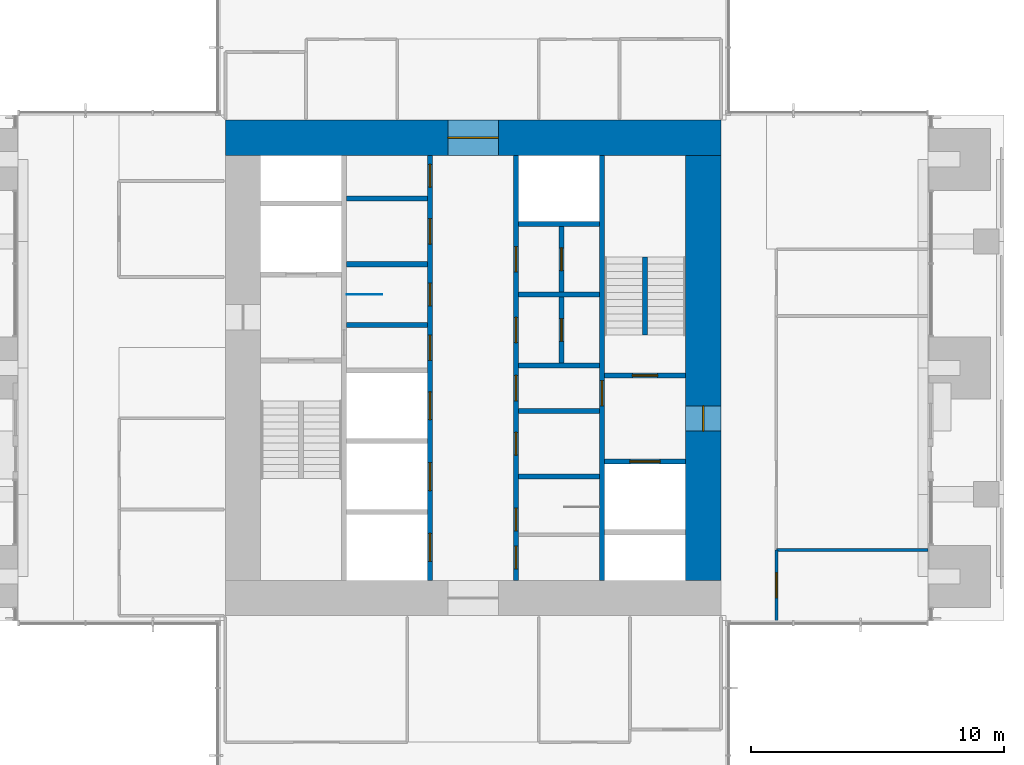
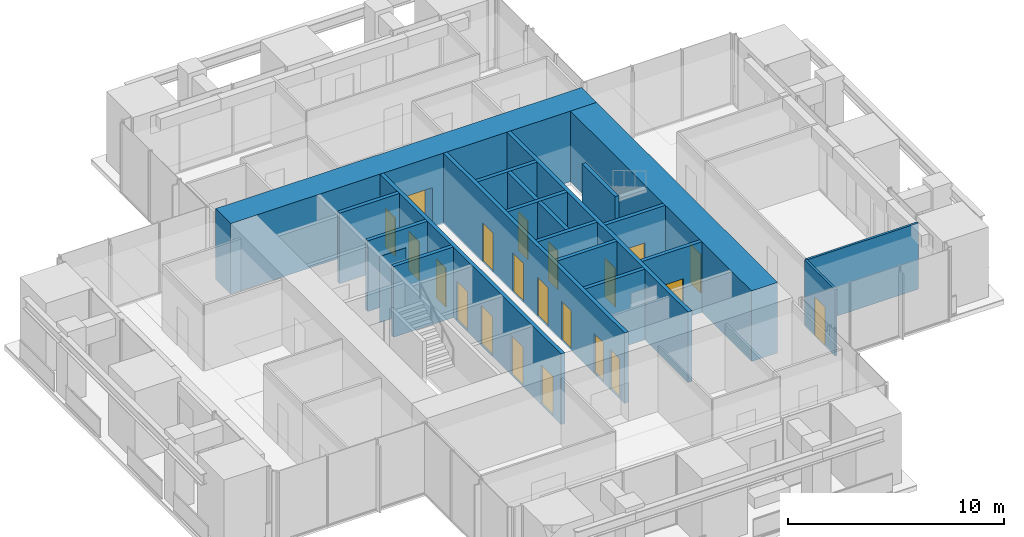
# One storey, part 13 of 17: 21 doors, 21 walls, 21 openings.
"""IFC4 building model written with IfcOpenShell, lengths in metres."""

from ifc_helpers import new_model, si_unit, direction, frame, frame_2d, origin, place, context, subcontext, project, spatial, rectangle, extrude, material, layer, layer_set, type_object, element, fill, save


model = new_model("IFC4")

# Units and contexts
model_context = context("Model", 3, precision=1e-05, world=origin(), true_north=direction((0.0, 1.0)))
body_context = subcontext(model_context, "Body", "Model", "MODEL_VIEW")
ifc_project = project(units=[si_unit("LENGTHUNIT", "METRE"), si_unit("AREAUNIT", "SQUARE_METRE"), si_unit("VOLUMEUNIT", "CUBIC_METRE"), si_unit("PLANEANGLEUNIT", "RADIAN"), si_unit("MASSUNIT", "GRAM", prefix="KILO")], contexts=[model_context])

# Site, building, storey
site_placement = place(None, origin())
site = spatial("IfcSite", under=ifc_project, at=site_placement, CompositionType="ELEMENT")
building_placement = place(site_placement, origin())
building = spatial("IfcBuilding", under=site, at=building_placement, Name="Svetlomir Tower", CompositionType="ELEMENT")
storey_placement = place(building_placement, frame((0.0, 0.0, 186.5)))
storey = spatial("IfcBuildingStorey", under=building, at=storey_placement, Name="L44", CompositionType="ELEMENT", Elevation=186.5)

# Wall, openings, doors
ifc_material_1 = material(Name="Concrete C60/75", Category="concrete")
ifc_layer_1 = layer(ifc_material_1, 0.199951171875)
ifc_layer_set_1 = layer_set([ifc_layer_1], Name="Concrete C60/75")
wall_type_1 = type_object("IfcWallType", Name="CORE INNER WALL 200", PredefinedType="SHEAR", material=ifc_layer_set_1)
wall_1_placement = place(storey_placement, frame((19.300048828125, 12.60009765625, -0.050048828125), z_axis=(0.0, 0.0, 1.0), x_axis=(0.0, 1.0, 0.0)))
wall_1 = element("IfcWall", 1, at=wall_1_placement, inside=storey, type_object=wall_type_1, Name="Core inner wall 19.3 L44", PredefinedType="SHEAR", context=body_context, shape_type="SweptSolid", body=[
    extrude(rectangle(XDim=16.7998046875, YDim=0.199951171875, at=frame_2d((8.39990234375, 0.0))), origin(), (0.0, 0.0, 1.0), 4.0),
])
opening_1_placement = place(wall_1_placement, frame((8.699951171875, 0.0, 0.050048828125)))
opening_1 = element("IfcOpeningElement", 2, at=opening_1_placement, cuts=wall_1, Name="Opening DC", PredefinedType="OPENING", context=body_context, shape_type="SweptSolid", body=[
    extrude(rectangle(XDim=1.0, YDim=2.199951171875, at=frame_2d((0.5, 1.10009765625))), frame((0.0, 0.10986328125, 0.0), z_axis=(0.0, -1.0, 0.0), x_axis=(1.0, 0.0, 0.0)), (0.0, 0.0, 1.0), 0.219970703125),
])
opening_2_placement = place(wall_1_placement, frame((10.85009765625, 0.0, 0.050048828125)))
opening_2 = element("IfcOpeningElement", 3, at=opening_2_placement, cuts=wall_1, Name="Opening DW", PredefinedType="OPENING", context=body_context, shape_type="SweptSolid", body=[
    extrude(rectangle(XDim=0.89990234375, YDim=2.199951171875, at=frame_2d((0.449951171875, 1.10009765625))), frame((0.0, 0.10986328125, 0.0), z_axis=(0.0, -1.0, 0.0), x_axis=(1.0, 0.0, 0.0)), (0.0, 0.0, 1.0), 0.219970703125),
])
opening_3_placement = place(wall_1_placement, frame((13.300048828125, 0.0, 0.050048828125)))
opening_3 = element("IfcOpeningElement", 4, at=opening_3_placement, cuts=wall_1, Name="Opening DC", PredefinedType="OPENING", context=body_context, shape_type="SweptSolid", body=[
    extrude(rectangle(XDim=1.0, YDim=2.199951171875, at=frame_2d((0.5, 1.10009765625))), frame((0.0, 0.10986328125, 0.0), z_axis=(0.0, -1.0, 0.0), x_axis=(1.0, 0.0, 0.0)), (0.0, 0.0, 1.0), 0.219970703125),
])
opening_4_placement = place(wall_1_placement, frame((15.550048828125, 0.0, 0.050048828125)))
opening_4 = element("IfcOpeningElement", 5, at=opening_4_placement, cuts=wall_1, Name="Opening DW", PredefinedType="OPENING", context=body_context, shape_type="SweptSolid", body=[
    extrude(rectangle(XDim=0.89990234375, YDim=2.199951171875, at=frame_2d((0.449951171875, 1.10009765625))), frame((0.0, 0.10986328125, 0.0), z_axis=(0.0, -1.0, 0.0), x_axis=(1.0, 0.0, 0.0)), (0.0, 0.0, 1.0), 0.219970703125),
])
opening_5_placement = place(wall_1_placement, frame((0.75, 0.0, 0.050048828125)))
opening_5 = element("IfcOpeningElement", 6, at=opening_5_placement, cuts=wall_1, Name="Opening LD", PredefinedType="OPENING", context=body_context, shape_type="SweptSolid", body=[
    extrude(rectangle(XDim=1.10009765625, YDim=2.199951171875, at=frame_2d((0.550048828125, 1.10009765625))), frame((0.0, 0.10986328125, 0.0), z_axis=(0.0, -1.0, 0.0), x_axis=(1.0, 0.0, 0.0)), (0.0, 0.0, 1.0), 0.219970703125),
])
opening_6_placement = place(wall_1_placement, frame((3.550048828125, 0.0, 0.050048828125)))
opening_6 = element("IfcOpeningElement", 7, at=opening_6_placement, cuts=wall_1, Name="Opening LD", PredefinedType="OPENING", context=body_context, shape_type="SweptSolid", body=[
    extrude(rectangle(XDim=1.10009765625, YDim=2.199951171875, at=frame_2d((0.550048828125, 1.10009765625))), frame((0.0, 0.10986328125, 0.0), z_axis=(0.0, -1.0, 0.0), x_axis=(1.0, 0.0, 0.0)), (0.0, 0.0, 1.0), 0.219970703125),
])
opening_7_placement = place(wall_1_placement, frame((6.35009765625, 0.0, 0.050048828125)))
opening_7 = element("IfcOpeningElement", 8, at=opening_7_placement, cuts=wall_1, Name="Opening LD", PredefinedType="OPENING", context=body_context, shape_type="SweptSolid", body=[
    extrude(rectangle(XDim=1.10009765625, YDim=2.199951171875, at=frame_2d((0.550048828125, 1.10009765625))), frame((0.0, 0.10986328125, 0.0), z_axis=(0.0, -1.0, 0.0), x_axis=(1.0, 0.0, 0.0)), (0.0, 0.0, 1.0), 0.219970703125),
])
ifc_material_2 = material(Name="Timber fire door", Category="wood")
door_type_1 = type_object("IfcDoorType", Name="DOOR DC 1000x2200", OperationType="SINGLE_SWING_LEFT", PredefinedType="DOOR", material=ifc_material_2)
door_1_placement = place(opening_1_placement, origin())
door_1 = element("IfcDoor", 9, at=door_1_placement, inside=storey, type_object=door_type_1, Name="Core corridor west lobby door L44", OperationType="SINGLE_SWING_RIGHT", OverallHeight=2.199951171875, OverallWidth=1.0, PredefinedType="DOOR", context=body_context, shape_type="SweptSolid", body=[
    extrude(rectangle(XDim=1.0, YDim=2.199951171875, at=frame_2d((0.5, 1.10009765625))), frame((0.0, 0.02490234375, 0.0), z_axis=(0.0, -1.0, 0.0), x_axis=(1.0, 0.0, 0.0)), (0.0, 0.0, 1.0), 0.050048828125),
])
fill(opening_1, door_1)
door_2_placement = place(opening_3_placement, origin())
door_2 = element("IfcDoor", 10, at=door_2_placement, inside=storey, type_object=door_type_1, Name="Accessible WC door L44", OperationType="SINGLE_SWING_LEFT", OverallHeight=2.199951171875, OverallWidth=1.0, PredefinedType="DOOR", context=body_context, shape_type="SweptSolid", body=[
    extrude(rectangle(XDim=1.0, YDim=2.199951171875, at=frame_2d((0.5, 1.10009765625))), frame((0.0, 0.02490234375, 0.0), z_axis=(0.0, -1.0, 0.0), x_axis=(1.0, 0.0, 0.0)), (0.0, 0.0, 1.0), 0.050048828125),
])
fill(opening_3, door_2)
ifc_material_3 = material(Name="Timber fire door", Category="wood")
door_type_2 = type_object("IfcDoorType", Name="DOOR DW 900x2200", OperationType="SINGLE_SWING_LEFT", PredefinedType="DOOR", material=ifc_material_3)
door_3_placement = place(opening_2_placement, origin())
door_3 = element("IfcDoor", 11, at=door_3_placement, inside=storey, type_object=door_type_2, Name="Female WC door L44", OperationType="SINGLE_SWING_RIGHT", OverallHeight=2.199951171875, OverallWidth=0.89990234375, PredefinedType="DOOR", context=body_context, shape_type="SweptSolid", body=[
    extrude(rectangle(XDim=0.89990234375, YDim=2.199951171875, at=frame_2d((0.449951171875, 1.10009765625))), frame((0.0, 0.02490234375, 0.0), z_axis=(0.0, -1.0, 0.0), x_axis=(1.0, 0.0, 0.0)), (0.0, 0.0, 1.0), 0.050048828125),
])
fill(opening_2, door_3)
door_4_placement = place(opening_4_placement, origin())
door_4 = element("IfcDoor", 12, at=door_4_placement, inside=storey, type_object=door_type_2, Name="Cleaner's store door L44", OperationType="SINGLE_SWING_RIGHT", OverallHeight=2.199951171875, OverallWidth=0.89990234375, PredefinedType="DOOR", context=body_context, shape_type="SweptSolid", body=[
    extrude(rectangle(XDim=0.89990234375, YDim=2.199951171875, at=frame_2d((0.449951171875, 1.10009765625))), frame((0.0, 0.02490234375, 0.0), z_axis=(0.0, -1.0, 0.0), x_axis=(1.0, 0.0, 0.0)), (0.0, 0.0, 1.0), 0.050048828125),
])
fill(opening_4, door_4)
ifc_material_4 = material(Name="Stainless steel landing door", Category="steel")
door_type_3 = type_object("IfcDoorType", Name="LIFT LANDING DOOR LD 1100x2200", OperationType="DOUBLE_DOOR_SLIDING", PredefinedType="DOOR", material=ifc_material_4)
door_5_placement = place(opening_5_placement, origin())
door_5 = element("IfcDoor", 13, at=door_5_placement, inside=storey, type_object=door_type_3, Name="Landing door lift LC1 L44", OperationType="DOUBLE_DOOR_SLIDING", OverallHeight=2.199951171875, OverallWidth=1.10009765625, PredefinedType="DOOR", context=body_context, shape_type="SweptSolid", body=[
    extrude(rectangle(XDim=1.10009765625, YDim=2.199951171875, at=frame_2d((0.550048828125, 1.10009765625))), frame((0.0, 0.02490234375, 0.0), z_axis=(0.0, -1.0, 0.0), x_axis=(1.0, 0.0, 0.0)), (0.0, 0.0, 1.0), 0.050048828125),
])
fill(opening_5, door_5)
door_6_placement = place(opening_6_placement, origin())
door_6 = element("IfcDoor", 14, at=door_6_placement, inside=storey, type_object=door_type_3, Name="Landing door lift LC2 L44", OperationType="DOUBLE_DOOR_SLIDING", OverallHeight=2.199951171875, OverallWidth=1.10009765625, PredefinedType="DOOR", context=body_context, shape_type="SweptSolid", body=[
    extrude(rectangle(XDim=1.10009765625, YDim=2.199951171875, at=frame_2d((0.550048828125, 1.10009765625))), frame((0.0, 0.02490234375, 0.0), z_axis=(0.0, -1.0, 0.0), x_axis=(1.0, 0.0, 0.0)), (0.0, 0.0, 1.0), 0.050048828125),
])
fill(opening_6, door_6)
door_7_placement = place(opening_7_placement, origin())
door_7 = element("IfcDoor", 15, at=door_7_placement, inside=storey, type_object=door_type_3, Name="Landing door lift LC3 L44", OperationType="DOUBLE_DOOR_SLIDING", OverallHeight=2.199951171875, OverallWidth=1.10009765625, PredefinedType="DOOR", context=body_context, shape_type="SweptSolid", body=[
    extrude(rectangle(XDim=1.10009765625, YDim=2.199951171875, at=frame_2d((0.550048828125, 1.10009765625))), frame((0.0, 0.02490234375, 0.0), z_axis=(0.0, -1.0, 0.0), x_axis=(1.0, 0.0, 0.0)), (0.0, 0.0, 1.0), 0.050048828125),
])
fill(opening_7, door_7)

wall_2_placement = place(storey_placement, frame((22.699951171875, 12.60009765625, -0.050048828125), z_axis=(0.0, 0.0, 1.0), x_axis=(0.0, 1.0, 0.0)))
wall_2 = element("IfcWall", 16, at=wall_2_placement, inside=storey, type_object=wall_type_1, Name="Core inner wall 22.7 L44", PredefinedType="SHEAR", context=body_context, shape_type="SweptSolid", body=[
    extrude(rectangle(XDim=16.7998046875, YDim=0.199951171875, at=frame_2d((8.39990234375, 0.0))), origin(), (0.0, 0.0, 1.0), 4.0),
])
opening_8_placement = place(wall_2_placement, frame((0.449951171875, 0.0, 0.050048828125)))
opening_8 = element("IfcOpeningElement", 17, at=opening_8_placement, cuts=wall_2, Name="Opening DW", PredefinedType="OPENING", context=body_context, shape_type="SweptSolid", body=[
    extrude(rectangle(XDim=0.89990234375, YDim=2.199951171875, at=frame_2d((0.449951171875, 1.10009765625))), frame((0.0, 0.10986328125, 0.0), z_axis=(0.0, -1.0, 0.0), x_axis=(1.0, 0.0, 0.0)), (0.0, 0.0, 1.0), 0.219970703125),
])
opening_9_placement = place(wall_2_placement, frame((7.10009765625, 0.0, 0.050048828125)))
opening_9 = element("IfcOpeningElement", 18, at=opening_9_placement, cuts=wall_2, Name="Opening DC", PredefinedType="OPENING", context=body_context, shape_type="SweptSolid", body=[
    extrude(rectangle(XDim=1.0, YDim=2.199951171875, at=frame_2d((0.5, 1.10009765625))), frame((0.0, 0.10986328125, 0.0), z_axis=(0.0, -1.0, 0.0), x_axis=(1.0, 0.0, 0.0)), (0.0, 0.0, 1.0), 0.219970703125),
])
opening_10_placement = place(wall_2_placement, frame((1.949951171875, 0.0, 0.050048828125)))
opening_10 = element("IfcOpeningElement", 19, at=opening_10_placement, cuts=wall_2, Name="Opening DW", PredefinedType="OPENING", context=body_context, shape_type="SweptSolid", body=[
    extrude(rectangle(XDim=0.89990234375, YDim=2.199951171875, at=frame_2d((0.449951171875, 1.10009765625))), frame((0.0, 0.10986328125, 0.0), z_axis=(0.0, -1.0, 0.0), x_axis=(1.0, 0.0, 0.0)), (0.0, 0.0, 1.0), 0.219970703125),
])
opening_11_placement = place(wall_2_placement, frame((4.949951171875, 0.0, 0.050048828125)))
opening_11 = element("IfcOpeningElement", 20, at=opening_11_placement, cuts=wall_2, Name="Opening DW", PredefinedType="OPENING", context=body_context, shape_type="SweptSolid", body=[
    extrude(rectangle(XDim=0.89990234375, YDim=2.199951171875, at=frame_2d((0.449951171875, 1.10009765625))), frame((0.0, 0.10986328125, 0.0), z_axis=(0.0, -1.0, 0.0), x_axis=(1.0, 0.0, 0.0)), (0.0, 0.0, 1.0), 0.219970703125),
])
opening_12_placement = place(wall_2_placement, frame((9.39990234375, 0.0, 0.050048828125)))
opening_12 = element("IfcOpeningElement", 21, at=opening_12_placement, cuts=wall_2, Name="Opening DC", PredefinedType="OPENING", context=body_context, shape_type="SweptSolid", body=[
    extrude(rectangle(XDim=1.0, YDim=2.199951171875, at=frame_2d((0.5, 1.10009765625))), frame((0.0, 0.10986328125, 0.0), z_axis=(0.0, -1.0, 0.0), x_axis=(1.0, 0.0, 0.0)), (0.0, 0.0, 1.0), 0.219970703125),
])
opening_13_placement = place(wall_2_placement, frame((12.199951171875, 0.0, 0.050048828125)))
opening_13 = element("IfcOpeningElement", 22, at=opening_13_placement, cuts=wall_2, Name="Opening DC", PredefinedType="OPENING", context=body_context, shape_type="SweptSolid", body=[
    extrude(rectangle(XDim=1.0, YDim=2.199951171875, at=frame_2d((0.5, 1.10009765625))), frame((0.0, 0.10986328125, 0.0), z_axis=(0.0, -1.0, 0.0), x_axis=(1.0, 0.0, 0.0)), (0.0, 0.0, 1.0), 0.219970703125),
])
door_8_placement = place(opening_9_placement, origin())
door_8 = element("IfcDoor", 23, at=door_8_placement, inside=storey, type_object=door_type_1, Name="Core corridor east lobby door L44", OperationType="SINGLE_SWING_LEFT", OverallHeight=2.199951171875, OverallWidth=1.0, PredefinedType="DOOR", context=body_context, shape_type="SweptSolid", body=[
    extrude(rectangle(XDim=1.0, YDim=2.199951171875, at=frame_2d((0.5, 1.10009765625))), frame((0.0, 0.02490234375, 0.0), z_axis=(0.0, -1.0, 0.0), x_axis=(1.0, 0.0, 0.0)), (0.0, 0.0, 1.0), 0.050048828125),
])
fill(opening_9, door_8)
door_9_placement = place(opening_12_placement, origin())
door_9 = element("IfcDoor", 24, at=door_9_placement, inside=storey, type_object=door_type_1, Name="Converted shaft BANK-E1 room door L44", OperationType="SINGLE_SWING_LEFT", OverallHeight=2.199951171875, OverallWidth=1.0, PredefinedType="DOOR", context=body_context, shape_type="SweptSolid", body=[
    extrude(rectangle(XDim=1.0, YDim=2.199951171875, at=frame_2d((0.5, 1.10009765625))), frame((0.0, 0.02490234375, 0.0), z_axis=(0.0, -1.0, 0.0), x_axis=(1.0, 0.0, 0.0)), (0.0, 0.0, 1.0), 0.050048828125),
])
fill(opening_12, door_9)
door_10_placement = place(opening_13_placement, origin())
door_10 = element("IfcDoor", 25, at=door_10_placement, inside=storey, type_object=door_type_1, Name="Converted shaft BANK-E2 room door L44", OperationType="SINGLE_SWING_LEFT", OverallHeight=2.199951171875, OverallWidth=1.0, PredefinedType="DOOR", context=body_context, shape_type="SweptSolid", body=[
    extrude(rectangle(XDim=1.0, YDim=2.199951171875, at=frame_2d((0.5, 1.10009765625))), frame((0.0, 0.02490234375, 0.0), z_axis=(0.0, -1.0, 0.0), x_axis=(1.0, 0.0, 0.0)), (0.0, 0.0, 1.0), 0.050048828125),
])
fill(opening_13, door_10)
door_11_placement = place(opening_8_placement, origin())
door_11 = element("IfcDoor", 26, at=door_11_placement, inside=storey, type_object=door_type_2, Name="Floor store door L44", OperationType="SINGLE_SWING_LEFT", OverallHeight=2.199951171875, OverallWidth=0.89990234375, PredefinedType="DOOR", context=body_context, shape_type="SweptSolid", body=[
    extrude(rectangle(XDim=0.89990234375, YDim=2.199951171875, at=frame_2d((0.449951171875, 1.10009765625))), frame((0.0, 0.02490234375, 0.0), z_axis=(0.0, -1.0, 0.0), x_axis=(1.0, 0.0, 0.0)), (0.0, 0.0, 1.0), 0.050048828125),
])
fill(opening_8, door_11)
door_12_placement = place(opening_10_placement, origin())
door_12 = element("IfcDoor", 27, at=door_12_placement, inside=storey, type_object=door_type_2, Name="Male WC door L44", OperationType="SINGLE_SWING_LEFT", OverallHeight=2.199951171875, OverallWidth=0.89990234375, PredefinedType="DOOR", context=body_context, shape_type="SweptSolid", body=[
    extrude(rectangle(XDim=0.89990234375, YDim=2.199951171875, at=frame_2d((0.449951171875, 1.10009765625))), frame((0.0, 0.02490234375, 0.0), z_axis=(0.0, -1.0, 0.0), x_axis=(1.0, 0.0, 0.0)), (0.0, 0.0, 1.0), 0.050048828125),
])
fill(opening_10, door_12)
door_13_placement = place(opening_11_placement, origin())
door_13 = element("IfcDoor", 28, at=door_13_placement, inside=storey, type_object=door_type_2, Name="Comms room door L44", OperationType="SINGLE_SWING_RIGHT", OverallHeight=2.199951171875, OverallWidth=0.89990234375, PredefinedType="DOOR", context=body_context, shape_type="SweptSolid", body=[
    extrude(rectangle(XDim=0.89990234375, YDim=2.199951171875, at=frame_2d((0.449951171875, 1.10009765625))), frame((0.0, 0.02490234375, 0.0), z_axis=(0.0, -1.0, 0.0), x_axis=(1.0, 0.0, 0.0)), (0.0, 0.0, 1.0), 0.050048828125),
])
fill(opening_11, door_13)

# Wall, opening, door
wall_3_placement = place(storey_placement, frame((26.10009765625, 12.60009765625, -0.050048828125), z_axis=(0.0, 0.0, 1.0), x_axis=(0.0, 1.0, 0.0)))
wall_3 = element("IfcWall", 29, at=wall_3_placement, inside=storey, type_object=wall_type_1, Name="Core inner wall 26.1 L44", PredefinedType="SHEAR", context=body_context, shape_type="SweptSolid", body=[
    extrude(rectangle(XDim=16.7998046875, YDim=0.199951171875, at=frame_2d((8.39990234375, 0.0))), origin(), (0.0, 0.0, 1.0), 4.0),
])
opening_14_placement = place(wall_3_placement, frame((6.89990234375, 0.0, 0.050048828125)))
opening_14 = element("IfcOpeningElement", 30, at=opening_14_placement, cuts=wall_3, Name="Opening DF", PredefinedType="OPENING", context=body_context, shape_type="SweptSolid", body=[
    extrude(rectangle(XDim=1.0, YDim=2.199951171875, at=frame_2d((0.5, 1.10009765625))), frame((0.0, 0.10986328125, 0.0), z_axis=(0.0, -1.0, 0.0), x_axis=(1.0, 0.0, 0.0)), (0.0, 0.0, 1.0), 0.219970703125),
])
ifc_material_5 = material(Name="Steel fire door", Category="steel")
door_type_4 = type_object("IfcDoorType", Name="DOOR DF 1000x2200", OperationType="SINGLE_SWING_LEFT", PredefinedType="DOOR", material=ifc_material_5)
door_14_placement = place(opening_14_placement, origin())
door_14 = element("IfcDoor", 31, at=door_14_placement, inside=storey, type_object=door_type_4, Name="Core corridor east door L44", OperationType="SINGLE_SWING_LEFT", OverallHeight=2.199951171875, OverallWidth=1.0, PredefinedType="DOOR", context=body_context, shape_type="SweptSolid", body=[
    extrude(rectangle(XDim=1.0, YDim=2.199951171875, at=frame_2d((0.5, 1.10009765625))), frame((0.0, 0.02490234375, 0.0), z_axis=(0.0, -1.0, 0.0), x_axis=(1.0, 0.0, 0.0)), (0.0, 0.0, 1.0), 0.050048828125),
])
fill(opening_14, door_14)

# Walls
for number, where, z_axis, x_axis, name in (
    (32, (16.0, 22.699951171875, -0.050048828125), (0.0, 0.0, 1.0), (1.0, 0.0, 0.0), "Core inner wall 16-19.2/22.7 L44"),
    (33, (16.0, 25.10009765625, -0.050048828125), (0.0, 0.0, 1.0), (1.0, 0.0, 0.0), "Core inner wall 16-19.2/25.1 L44"),
    (34, (16.0, 27.699951171875, -0.050048828125), (0.0, 0.0, 1.0), (1.0, 0.0, 0.0), "Core inner wall 16-19.2/27.7 L44"),
    (35, (22.800048828125, 16.699951171875, -0.050048828125), (0.0, 0.0, 1.0), (1.0, 0.0, 0.0), "Core inner wall 22.8-26/16.7 L44"),
    (36, (22.800048828125, 19.300048828125, -0.050048828125), (0.0, 0.0, 1.0), (1.0, 0.0, 0.0), "Core inner wall 22.8-26/19.3 L44"),
    (37, (22.800048828125, 21.10009765625, -0.050048828125), (0.0, 0.0, 1.0), (1.0, 0.0, 0.0), "Core inner wall 22.8-26/21.1 L44"),
    (38, (22.800048828125, 23.89990234375, -0.050048828125), (0.0, 0.0, 1.0), (1.0, 0.0, 0.0), "Core inner wall 22.8-26/23.9 L44"),
    (39, (22.800048828125, 26.699951171875, -0.050048828125), (0.0, 0.0, 1.0), (1.0, 0.0, 0.0), "Core inner wall 22.8-26/26.7 L44"),
):
    element("IfcWall", number, at=place(storey_placement, frame(where, z_axis=z_axis, x_axis=x_axis)), inside=storey, type_object=wall_type_1, Name=name, PredefinedType="SHEAR", context=body_context, shape_type="SweptSolid", body=[
        extrude(rectangle(XDim=3.199951171875, YDim=0.199951171875, at=frame_2d((1.60009765625, 0.0))), origin(), (0.0, 0.0, 1.0), 4.0),
    ])

# Wall, opening, door
wall_4_placement = place(storey_placement, frame((26.199951171875, 17.300048828125, -0.050048828125), z_axis=(0.0, 0.0, 1.0), x_axis=(1.0, 0.0, 0.0)))
wall_4 = element("IfcWall", 40, at=wall_4_placement, inside=storey, type_object=wall_type_1, Name="Core inner wall 26.2-29.4/17.3 L44", PredefinedType="SHEAR", context=body_context, shape_type="SweptSolid", body=[
    extrude(rectangle(XDim=3.199951171875, YDim=0.199951171875, at=frame_2d((1.60009765625, 0.0))), origin(), (0.0, 0.0, 1.0), 4.0),
])
opening_15_placement = place(wall_4_placement, frame((1.0, 0.0, 0.050048828125)))
opening_15 = element("IfcOpeningElement", 41, at=opening_15_placement, cuts=wall_4, Name="Opening LD3", PredefinedType="OPENING", context=body_context, shape_type="SweptSolid", body=[
    extrude(rectangle(XDim=1.199951171875, YDim=2.199951171875, at=frame_2d((0.60009765625, 1.10009765625))), frame((0.0, 0.10986328125, 0.0), z_axis=(0.0, -1.0, 0.0), x_axis=(1.0, 0.0, 0.0)), (0.0, 0.0, 1.0), 0.219970703125),
])
ifc_material_6 = material(Name="Stainless steel fire-rated landing door", Category="steel")
door_type_5 = type_object("IfcDoorType", Name="FIREFIGHTING LIFT LANDING DOOR LD3 1200x2200", OperationType="DOUBLE_DOOR_SLIDING", PredefinedType="DOOR", material=ifc_material_6)
door_15_placement = place(opening_15_placement, origin())
door_15 = element("IfcDoor", 42, at=door_15_placement, inside=storey, type_object=door_type_5, Name="Landing door lift FL2 L44", OperationType="DOUBLE_DOOR_SLIDING", OverallHeight=2.199951171875, OverallWidth=1.199951171875, PredefinedType="DOOR", context=body_context, shape_type="SweptSolid", body=[
    extrude(rectangle(XDim=1.199951171875, YDim=2.199951171875, at=frame_2d((0.60009765625, 1.10009765625))), frame((0.0, 0.02490234375, 0.0), z_axis=(0.0, -1.0, 0.0), x_axis=(1.0, 0.0, 0.0)), (0.0, 0.0, 1.0), 0.050048828125),
])
fill(opening_15, door_15)

wall_5_placement = place(storey_placement, frame((26.199951171875, 20.699951171875, -0.050048828125), z_axis=(0.0, 0.0, 1.0), x_axis=(1.0, 0.0, 0.0)))
wall_5 = element("IfcWall", 43, at=wall_5_placement, inside=storey, type_object=wall_type_1, Name="Core inner wall 26.2-29.4/20.7 L44", PredefinedType="SHEAR", context=body_context, shape_type="SweptSolid", body=[
    extrude(rectangle(XDim=3.199951171875, YDim=0.199951171875, at=frame_2d((1.60009765625, 0.0))), origin(), (0.0, 0.0, 1.0), 4.0),
])
opening_16_placement = place(wall_5_placement, frame((1.10009765625, 0.0, 0.050048828125)))
opening_16 = element("IfcOpeningElement", 44, at=opening_16_placement, cuts=wall_5, Name="Opening DF", PredefinedType="OPENING", context=body_context, shape_type="SweptSolid", body=[
    extrude(rectangle(XDim=1.0, YDim=2.199951171875, at=frame_2d((0.5, 1.10009765625))), frame((0.0, 0.10986328125, 0.0), z_axis=(0.0, -1.0, 0.0), x_axis=(1.0, 0.0, 0.0)), (0.0, 0.0, 1.0), 0.219970703125),
])
door_16_placement = place(opening_16_placement, origin())
door_16 = element("IfcDoor", 45, at=door_16_placement, inside=storey, type_object=door_type_4, Name="Stair S2 door L44", OperationType="SINGLE_SWING_LEFT", OverallHeight=2.199951171875, OverallWidth=1.0, PredefinedType="DOOR", context=body_context, shape_type="SweptSolid", body=[
    extrude(rectangle(XDim=1.0, YDim=2.199951171875, at=frame_2d((0.5, 1.10009765625))), frame((0.0, 0.02490234375, 0.0), z_axis=(0.0, -1.0, 0.0), x_axis=(1.0, 0.0, 0.0)), (0.0, 0.0, 1.0), 0.050048828125),
])
fill(opening_16, door_16)

wall_6_placement = place(storey_placement, frame((24.5, 21.199951171875, -0.050048828125), z_axis=(0.0, 0.0, 1.0), x_axis=(0.0, 1.0, 0.0)))
wall_6 = element("IfcWall", 46, at=wall_6_placement, inside=storey, type_object=wall_type_1, Name="Core inner wall 24.5/21.2-23.8 L44", PredefinedType="SHEAR", context=body_context, shape_type="SweptSolid", body=[
    extrude(rectangle(XDim=2.60009765625, YDim=0.199951171875, at=frame_2d((1.300048828125, 0.0))), origin(), (0.0, 0.0, 1.0), 4.0),
])
opening_17_placement = place(wall_6_placement, frame((0.85009765625, 0.0, 0.050048828125)))
opening_17 = element("IfcOpeningElement", 47, at=opening_17_placement, cuts=wall_6, Name="Opening DW", PredefinedType="OPENING", context=body_context, shape_type="SweptSolid", body=[
    extrude(rectangle(XDim=0.89990234375, YDim=2.199951171875, at=frame_2d((0.449951171875, 1.10009765625))), frame((0.0, 0.10986328125, 0.0), z_axis=(0.0, -1.0, 0.0), x_axis=(1.0, 0.0, 0.0)), (0.0, 0.0, 1.0), 0.219970703125),
])
door_17_placement = place(opening_17_placement, origin())
door_17 = element("IfcDoor", 48, at=door_17_placement, inside=storey, type_object=door_type_2, Name="Converted shaft BANK-E1 back room door L44", OperationType="SINGLE_SWING_RIGHT", OverallHeight=2.199951171875, OverallWidth=0.89990234375, PredefinedType="DOOR", context=body_context, shape_type="SweptSolid", body=[
    extrude(rectangle(XDim=0.89990234375, YDim=2.199951171875, at=frame_2d((0.449951171875, 1.10009765625))), frame((0.0, 0.02490234375, 0.0), z_axis=(0.0, -1.0, 0.0), x_axis=(1.0, 0.0, 0.0)), (0.0, 0.0, 1.0), 0.050048828125),
])
fill(opening_17, door_17)

wall_7_placement = place(storey_placement, frame((24.5, 24.0, -0.050048828125), z_axis=(0.0, 0.0, 1.0), x_axis=(0.0, 1.0, 0.0)))
wall_7 = element("IfcWall", 49, at=wall_7_placement, inside=storey, type_object=wall_type_1, Name="Core inner wall 24.5/24-26.6 L44", PredefinedType="SHEAR", context=body_context, shape_type="SweptSolid", body=[
    extrude(rectangle(XDim=2.60009765625, YDim=0.199951171875, at=frame_2d((1.300048828125, 0.0))), origin(), (0.0, 0.0, 1.0), 4.0),
])
opening_18_placement = place(wall_7_placement, frame((0.85009765625, 0.0, 0.050048828125)))
opening_18 = element("IfcOpeningElement", 50, at=opening_18_placement, cuts=wall_7, Name="Opening DW", PredefinedType="OPENING", context=body_context, shape_type="SweptSolid", body=[
    extrude(rectangle(XDim=0.89990234375, YDim=2.199951171875, at=frame_2d((0.449951171875, 1.10009765625))), frame((0.0, 0.10986328125, 0.0), z_axis=(0.0, -1.0, 0.0), x_axis=(1.0, 0.0, 0.0)), (0.0, 0.0, 1.0), 0.219970703125),
])
door_18_placement = place(opening_18_placement, origin())
door_18 = element("IfcDoor", 51, at=door_18_placement, inside=storey, type_object=door_type_2, Name="Converted shaft BANK-E2 back room door L44", OperationType="SINGLE_SWING_RIGHT", OverallHeight=2.199951171875, OverallWidth=0.89990234375, PredefinedType="DOOR", context=body_context, shape_type="SweptSolid", body=[
    extrude(rectangle(XDim=0.89990234375, YDim=2.199951171875, at=frame_2d((0.449951171875, 1.10009765625))), frame((0.0, 0.02490234375, 0.0), z_axis=(0.0, -1.0, 0.0), x_axis=(1.0, 0.0, 0.0)), (0.0, 0.0, 1.0), 0.050048828125),
])
fill(opening_18, door_18)

ifc_material_7 = material(Name="Concrete C60/75", Category="concrete")
ifc_layer_2 = layer(ifc_material_7, 1.39990234375)
ifc_layer_set_2 = layer_set([ifc_layer_2], Name="Concrete C60/75")
wall_type_2 = type_object("IfcWallType", Name="CORE WALL 1400", PredefinedType="SHEAR", material=ifc_layer_set_2)
wall_8_placement = place(storey_placement, frame((11.199951171875, 30.10009765625, -0.050048828125), z_axis=(0.0, 0.0, 1.0), x_axis=(1.0, 0.0, 0.0)))
wall_8 = element("IfcWall", 52, at=wall_8_placement, inside=storey, type_object=wall_type_2, Name="Core wall north L44", PredefinedType="SHEAR", context=body_context, shape_type="SweptSolid", body=[
    extrude(rectangle(XDim=19.60009765625, YDim=1.39990234375, at=frame_2d((9.800048828125, 0.0))), origin(), (0.0, 0.0, 1.0), 4.0),
])
opening_19_placement = place(wall_8_placement, frame((8.800048828125, 0.0, 0.050048828125)))
opening_19 = element("IfcOpeningElement", 53, at=opening_19_placement, cuts=wall_8, Name="Opening DL", PredefinedType="OPENING", context=body_context, shape_type="SweptSolid", body=[
    extrude(rectangle(XDim=2.0, YDim=2.199951171875, at=frame_2d((1.0, 1.10009765625))), frame((0.0, 0.7099609375, 0.0), z_axis=(0.0, -1.0, 0.0), x_axis=(1.0, 0.0, 0.0)), (0.0, 0.0, 1.0), 1.419921875),
])
ifc_material_8 = material(Name="Steel fire door", Category="steel")
door_type_6 = type_object("IfcDoorType", Name="DOOR DL 2000x2200", OperationType="DOUBLE_DOOR_SINGLE_SWING", PredefinedType="DOOR", material=ifc_material_8)
door_19_placement = place(opening_19_placement, origin())
door_19 = element("IfcDoor", 54, at=door_19_placement, inside=storey, type_object=door_type_6, Name="Lift lobby north door L44", OperationType="DOUBLE_DOOR_SINGLE_SWING", OverallHeight=2.199951171875, OverallWidth=2.0, PredefinedType="DOOR", context=body_context, shape_type="SweptSolid", body=[
    extrude(rectangle(XDim=2.0, YDim=2.199951171875, at=frame_2d((1.0, 1.10009765625))), frame((0.0, 0.02490234375, 0.0), z_axis=(0.0, -1.0, 0.0), x_axis=(1.0, 0.0, 0.0)), (0.0, 0.0, 1.0), 0.050048828125),
])
fill(opening_19, door_19)

wall_9_placement = place(storey_placement, frame((30.10009765625, 12.60009765625, -0.050048828125), z_axis=(0.0, 0.0, 1.0), x_axis=(0.0, 1.0, 0.0)))
wall_9 = element("IfcWall", 55, at=wall_9_placement, inside=storey, type_object=wall_type_2, Name="Core wall east L44", PredefinedType="SHEAR", context=body_context, shape_type="SweptSolid", body=[
    extrude(rectangle(XDim=16.7998046875, YDim=1.39990234375, at=frame_2d((8.39990234375, 0.0))), origin(), (0.0, 0.0, 1.0), 4.0),
])
opening_20_placement = place(wall_9_placement, frame((5.89990234375, 0.0, 0.050048828125)))
opening_20 = element("IfcOpeningElement", 56, at=opening_20_placement, cuts=wall_9, Name="Opening DF", PredefinedType="OPENING", context=body_context, shape_type="SweptSolid", body=[
    extrude(rectangle(XDim=1.0, YDim=2.199951171875, at=frame_2d((0.5, 1.10009765625))), frame((0.0, 0.7099609375, 0.0), z_axis=(0.0, -1.0, 0.0), x_axis=(1.0, 0.0, 0.0)), (0.0, 0.0, 1.0), 1.419921875),
])
door_20_placement = place(opening_20_placement, origin())
door_20 = element("IfcDoor", 57, at=door_20_placement, inside=storey, type_object=door_type_4, Name="Firefighting lobby east door L44", OperationType="SINGLE_SWING_LEFT", OverallHeight=2.199951171875, OverallWidth=1.0, PredefinedType="DOOR", context=body_context, shape_type="SweptSolid", body=[
    extrude(rectangle(XDim=1.0, YDim=2.199951171875, at=frame_2d((0.5, 1.10009765625))), frame((0.0, 0.02490234375, 0.0), z_axis=(0.0, -1.0, 0.0), x_axis=(1.0, 0.0, 0.0)), (0.0, 0.0, 1.0), 0.050048828125),
])
fill(opening_20, door_20)

ifc_material_9 = material(Name="Gypsum board on steel studs", Category="steel")
ifc_layer_3 = layer(ifc_material_9, 0.1201171875)
ifc_layer_set_3 = layer_set([ifc_layer_3], Name="Gypsum board on steel studs")
wall_type_3 = type_object("IfcWallType", Name="PARTITION 120", PredefinedType="PARTITIONING", material=ifc_layer_set_3)
wall_10_placement = place(storey_placement, frame((33.0, 11.0, 0.0), z_axis=(0.0, 0.0, 1.0), x_axis=(0.0, 1.0, 0.0)))
wall_10 = element("IfcWall", 58, at=wall_10_placement, inside=storey, type_object=wall_type_3, Name="Partition L44", PredefinedType="PARTITIONING", context=body_context, shape_type="SweptSolid", body=[
    extrude(rectangle(XDim=2.800048828125, YDim=0.1201171875, at=frame_2d((1.39990234375, 0.0))), origin(), (0.0, 0.0, 1.0), 3.75),
])
opening_21_placement = place(wall_10_placement, frame((0.89990234375, 0.0, 0.0)))
opening_21 = element("IfcOpeningElement", 59, at=opening_21_placement, cuts=wall_10, Name="Opening DR", PredefinedType="OPENING", context=body_context, shape_type="SweptSolid", body=[
    extrude(rectangle(XDim=1.0, YDim=2.199951171875, at=frame_2d((0.5, 1.10009765625))), frame((0.0, 0.070068359375, 0.0), z_axis=(0.0, -1.0, 0.0), x_axis=(1.0, 0.0, 0.0)), (0.0, 0.0, 1.0), 0.14013671875),
])
ifc_material_10 = material(Name="Timber door, glazed side light", Category="wood")
door_type_7 = type_object("IfcDoorType", Name="DOOR DR 1000x2200", OperationType="SINGLE_SWING_LEFT", PredefinedType="DOOR", material=ifc_material_10)
door_21_placement = place(opening_21_placement, origin())
door_21 = element("IfcDoor", 60, at=door_21_placement, inside=storey, type_object=door_type_7, Name="Head of sustainability office door L44", OperationType="SINGLE_SWING_RIGHT", OverallHeight=2.199951171875, OverallWidth=1.0, PredefinedType="DOOR", context=body_context, shape_type="SweptSolid", body=[
    extrude(rectangle(XDim=1.0, YDim=2.199951171875, at=frame_2d((0.5, 1.10009765625))), frame((0.0, 0.02490234375, 0.0), z_axis=(0.0, -1.0, 0.0), x_axis=(1.0, 0.0, 0.0)), (0.0, 0.0, 1.0), 0.050048828125),
])
fill(opening_21, door_21)

# Walls
wall_11_placement = place(storey_placement, frame((33.0, 13.800048828125, 0.0), z_axis=(0.0, 0.0, 1.0), x_axis=(1.0, 0.0, 0.0)))
element("IfcWall", 61, at=wall_11_placement, inside=storey, type_object=wall_type_3, Name="Partition L44", PredefinedType="PARTITIONING", context=body_context, shape_type="SweptSolid", body=[
    extrude(rectangle(XDim=6.0, YDim=0.1201171875, at=frame_2d((3.0, 0.0))), origin(), (0.0, 0.0, 1.0), 3.75),
])
ifc_material_11 = material(Name="Concrete C60/75", Category="concrete")
ifc_layer_4 = layer(ifc_material_11, 0.199951171875)
ifc_layer_set_4 = layer_set([ifc_layer_4], Name="Concrete C60/75")
wall_type_4 = type_object("IfcWallType", Name="STAIR SPINE WALL 200", PredefinedType="PARTITIONING", material=ifc_layer_set_4)
wall_12_placement = place(storey_placement, frame((27.800048828125, 22.300048828125, 0.0), z_axis=(0.0, 0.0, 1.0), x_axis=(0.0, 1.0, 0.0)))
element("IfcWall", 62, at=wall_12_placement, inside=storey, type_object=wall_type_4, Name="Stair S2 spine wall L44", PredefinedType="PARTITIONING", context=body_context, shape_type="SweptSolid", body=[
    extrude(rectangle(XDim=3.079833984375, YDim=0.199951171875, at=frame_2d((1.5400390625, 0.0))), origin(), (0.0, 0.0, 1.0), 4.0),
])
ifc_material_12 = material(Name="Compact laminate panel", Category="plastic")
ifc_layer_5 = layer(ifc_material_12, 0.030029296875)
ifc_layer_set_5 = layer_set([ifc_layer_5], Name="Compact laminate panel")
wall_type_5 = type_object("IfcWallType", Name="WC CUBICLE PARTITION 30", PredefinedType="PARTITIONING", material=ifc_layer_set_5)
wall_13_placement = place(storey_placement, frame((16.0, 23.89990234375, 0.0), z_axis=(0.0, 0.0, 1.0), x_axis=(1.0, 0.0, 0.0)))
element("IfcWall", 63, at=wall_13_placement, inside=storey, type_object=wall_type_5, Name="WC cubicle partition L44", PredefinedType="PARTITIONING", context=body_context, shape_type="SweptSolid", body=[
    extrude(rectangle(XDim=1.39990234375, YDim=0.030029296875, at=frame_2d((0.699951171875, 0.0))), origin(), (0.0, 0.0, 1.0), 3.75),
])

save(model, "model.ifc")
